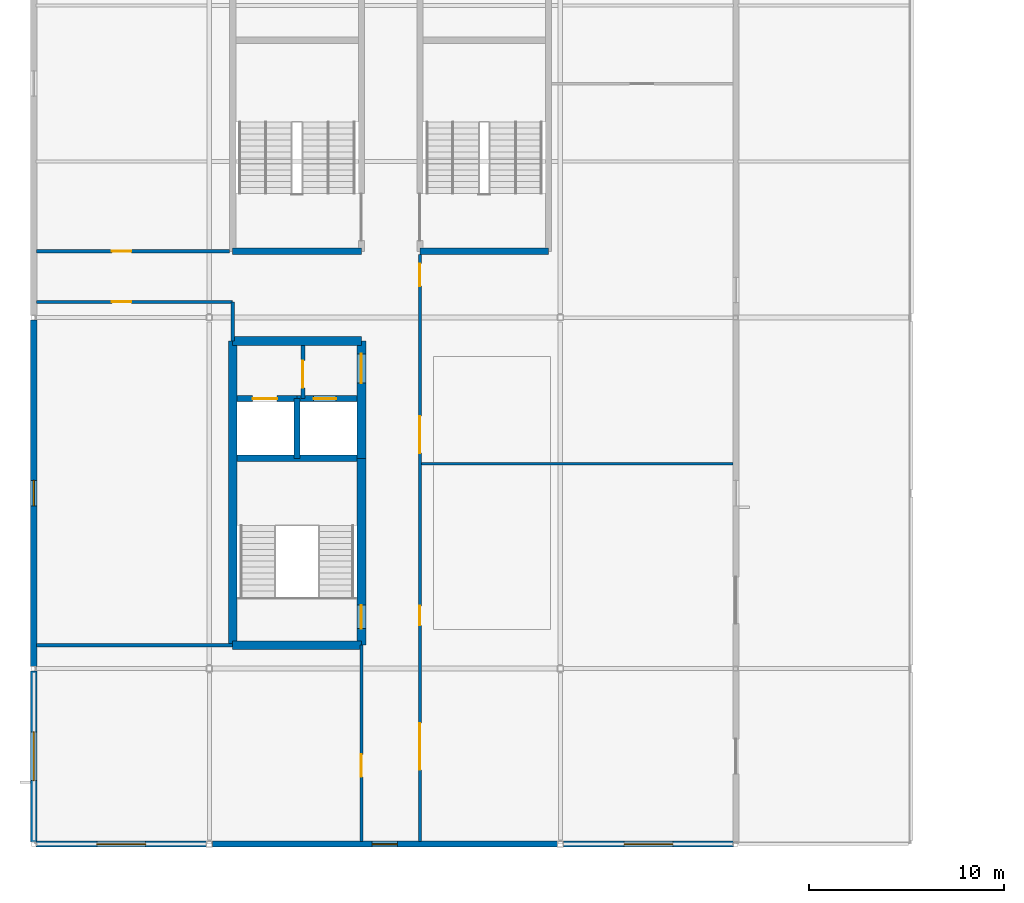
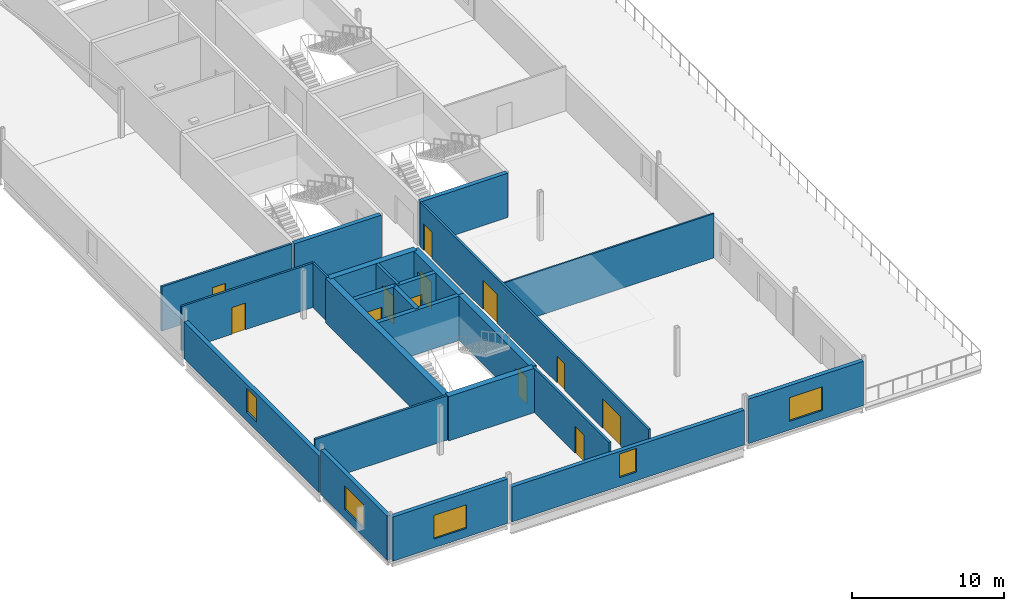
# One storey, part 27 of 55: 24 walls, 12 doors, 5 windows, 17 openings.
"""IFC4 building model written with IfcOpenShell, lengths in metres."""

import ifcopenshell
import ifcopenshell.guid

model = None  # the IFC model being written
_history = None  # IfcOwnerHistory: only IFC2X3 demands one
_inside = {}  # id of a spatial element -> (the spatial element, [elements in it])
_under = {}  # id of a project, library or spatial element -> (it, [spatial elements below it])
_declared = {}  # id of a project -> (the project, [libraries it declares])
_typed = {}  # id of a type object -> (the type object, [elements of that type])
_made_of = {}  # id of a material, layer set ... -> (it, [elements and type objects made of it])


def new_model(schema):
    """Start an empty IFC model of exactly this schema.

    Asked for "IFC4X3", IfcOpenShell would pick the latest addendum, in which some entities
    have other attributes; the version numbers below select the first issue.
    IFC2X3 requires an IfcOwnerHistory on every rooted entity: one is made here for all.
    """
    global model, _history
    if schema == "IFC4X3":
        model = ifcopenshell.file(schema_version=(4, 3, 0, 0))
    else:
        model = ifcopenshell.file(schema=schema)
    _inside.clear()
    _under.clear()
    _declared.clear()
    _typed.clear()
    _made_of.clear()
    _history = None
    if model.schema == "IFC2X3":
        org = make("IfcOrganization", Name="unknown")
        user = make(
            "IfcPersonAndOrganization",
            ThePerson=make("IfcPerson", FamilyName="unknown"),
            TheOrganization=org,
        )
        app = make(
            "IfcApplication",
            ApplicationDeveloper=org,
            Version="unknown",
            ApplicationFullName="unknown",
            ApplicationIdentifier="unknown",
        )
        _history = make(
            "IfcOwnerHistory",
            OwningUser=user,
            OwningApplication=app,
            ChangeAction="ADDED",
            CreationDate=0,
        )
    return model


def make(cls, **values):
    """One entity of the class cls with the attributes given. An attribute that is None is left unset."""
    return model.create_entity(
        cls, **{name: value for name, value in values.items() if value is not None}
    )


def rooted(cls, **values):
    """An entity with a GlobalId (a new one), such as an element, a storey or a relation."""
    return make(cls, GlobalId=ifcopenshell.guid.new(), OwnerHistory=_history, **values)


def si_unit(unit_type, name, prefix=None):
    """IfcSIUnit, for example si_unit("LENGTHUNIT", "METRE", prefix="MILLI")."""
    return make("IfcSIUnit", UnitType=unit_type, Prefix=prefix, Name=name)


def assignment(units):
    """IfcUnitAssignment: the units of a project."""
    return None if units is None else make("IfcUnitAssignment", Units=units)


def point(xyz):
    """IfcCartesianPoint."""
    return None if xyz is None else make("IfcCartesianPoint", Coordinates=xyz)


def direction(xyz):
    """IfcDirection."""
    return None if xyz is None else make("IfcDirection", DirectionRatios=xyz)


def frame(location, z_axis=None, x_axis=None):
    """IfcAxis2Placement3D, a coordinate frame: its origin and axes. An axis left out is left unset."""
    return make(
        "IfcAxis2Placement3D",
        Location=point(location),
        Axis=direction(z_axis),
        RefDirection=direction(x_axis),
    )


def frame_2d(location, x_axis=None):
    """IfcAxis2Placement2D, a coordinate frame in the plane: its origin and x axis."""
    return make(
        "IfcAxis2Placement2D", Location=point(location), RefDirection=direction(x_axis)
    )


def origin():
    """The frame at (0, 0, 0) with its axes left unset."""
    return frame((0.0, 0.0, 0.0))


def place(relative_to, where):
    """IfcLocalPlacement: puts the frame where relative to a parent placement (None: the world)."""
    return make(
        "IfcLocalPlacement", PlacementRelTo=relative_to, RelativePlacement=where
    )


def context(
    kind, dimensions, precision=None, world=None, true_north=None, identifier=None
):
    """IfcGeometricRepresentationContext, for example the 3D "Model" context."""
    return make(
        "IfcGeometricRepresentationContext",
        ContextIdentifier=identifier,
        ContextType=kind,
        CoordinateSpaceDimension=dimensions,
        Precision=precision,
        WorldCoordinateSystem=world,
        TrueNorth=true_north,
    )


def subcontext(parent, identifier, kind, view, scale=None):
    """IfcGeometricRepresentationSubContext, for example "Body" below "Model"."""
    return make(
        "IfcGeometricRepresentationSubContext",
        ContextIdentifier=identifier,
        ContextType=kind,
        ParentContext=parent,
        TargetScale=scale,
        TargetView=view,
    )


def project(units=None, contexts=None):
    """IfcProject with its units and contexts."""
    return rooted(
        "IfcProject",
        Name="project",
        RepresentationContexts=contexts,
        UnitsInContext=assignment(units),
    )


def spatial(cls, under=None, at=None, **own):
    """A site, building, storey or space (cls), placed at a placement, below another one or the project."""
    s = rooted(cls, ObjectPlacement=at, **own)
    if under is not None:
        _under.setdefault(under.id(), (under, []))[1].append(s)
    return s


def profile(cls, at=None, kind="AREA", **sizes):
    """A parametric profile (cls). Its sizes go by their IFC names, for example OverallWidth=200.0."""
    return make(cls, ProfileType=kind, Position=at, **sizes)


def rectangle(**sizes):
    """IfcRectangleProfileDef."""
    return profile("IfcRectangleProfileDef", **sizes)


def extrude(swept, where, along, depth):
    """IfcExtrudedAreaSolid: the profile swept, set in the frame where, extruded along a direction by depth."""
    return make(
        "IfcExtrudedAreaSolid",
        SweptArea=swept,
        Position=where,
        ExtrudedDirection=direction(along),
        Depth=depth,
    )


def shape(context_of_items, identifier, shape_type, items):
    """IfcShapeRepresentation: the items that make up one representation, for example the "Body"."""
    return make(
        "IfcShapeRepresentation",
        ContextOfItems=context_of_items,
        RepresentationIdentifier=identifier,
        RepresentationType=shape_type,
        Items=items,
    )


def material(Name=None, Category=None):
    """IfcMaterial."""
    return make("IfcMaterial", Name=Name, Category=Category)


def layer(
    of_material, thickness, ventilated=None, Name=None, Category=None, Priority=None
):
    """IfcMaterialLayer: one layer of a wall or slab, of a material (None: an air gap)."""
    return make(
        "IfcMaterialLayer",
        Material=of_material,
        LayerThickness=thickness,
        IsVentilated=ventilated,
        Name=Name,
        Category=Category,
        Priority=Priority,
    )


def layer_set(layers, Name=None):
    """IfcMaterialLayerSet."""
    return make("IfcMaterialLayerSet", MaterialLayers=layers, LayerSetName=Name)


def made_of(thing, what):
    """Note that an element or type object is made of a material, layer set ...; save() writes the relation."""
    if what is not None:
        _made_of.setdefault(what.id(), (what, []))[1].append(thing)
    return thing


def type_object(cls, material=None, **own):
    """A type object (cls), such as IfcWallType, which elements share."""
    return made_of(rooted(cls, **own), material)


def element(
    cls,
    number,
    at=None,
    inside=None,
    cuts=None,
    type_object=None,
    material=None,
    context=None,
    identifier="Body",
    shape_type=None,
    held_by="IfcProductDefinitionShape",
    body=None,
    shapes=None,
    **own,
):
    """One element of the class cls, such as IfcWall. Its Tag is "e" and its number.

    at: its placement. inside: the storey or other place that contains it. cuts: it is an
    opening in that element (IfcRelVoidsElement). A single representation is given by context,
    identifier, shape_type and body (its items); several are given by shapes. held_by: the class
    of the entity that holds the representations. save() writes the other relations.
    """
    e = rooted(cls, Tag="e%d" % number, ObjectPlacement=at, **own)
    if body is not None:
        shapes = [shape(context, identifier, shape_type, body)]
    if shapes is not None:
        e.Representation = make(held_by, Representations=shapes)
    if inside is not None:
        _inside.setdefault(inside.id(), (inside, []))[1].append(e)
    if cuts is not None:
        rooted(
            "IfcRelVoidsElement", RelatingBuildingElement=cuts, RelatedOpeningElement=e
        )
    if type_object is not None:
        _typed.setdefault(type_object.id(), (type_object, []))[1].append(e)
    return made_of(e, material)


def fill(opening, filler):
    """IfcRelFillsElement: the door or window that sits in an opening."""
    return rooted(
        "IfcRelFillsElement",
        RelatingOpeningElement=opening,
        RelatedBuildingElement=filler,
    )


def aggregate(whole, parts):
    """IfcRelAggregates: a whole, such as a stair, and the parts it consists of."""
    return rooted("IfcRelAggregates", RelatingObject=whole, RelatedObjects=parts)


def save(model, path):
    """Write the relations noted so far, then the file.

    IfcRelAggregates (storeys below a building ...), IfcRelContainedInSpatialStructure (elements
    in a storey), IfcRelDefinesByType, IfcRelAssociatesMaterial and IfcRelDeclares: one each for
    every whole, place, type object, material and project.
    """
    for whole, parts in _under.values():
        aggregate(whole, parts)
    for where, things in _inside.values():
        rooted(
            "IfcRelContainedInSpatialStructure",
            RelatedElements=things,
            RelatingStructure=where,
        )
    for kind, things in _typed.values():
        rooted("IfcRelDefinesByType", RelatedObjects=things, RelatingType=kind)
    for what, things in _made_of.values():
        rooted("IfcRelAssociatesMaterial", RelatedObjects=things, RelatingMaterial=what)
    for by, libraries in _declared.values():
        rooted("IfcRelDeclares", RelatingContext=by, RelatedDefinitions=libraries)
    model.write(path)


model = new_model("IFC4")

# Units and contexts
model_context = context("Model", 3, precision=1e-05, world=origin(), true_north=direction((0.0, 1.0)))
body_context = subcontext(model_context, "Body", "Model", "MODEL_VIEW")
ifc_project = project(units=[si_unit("LENGTHUNIT", "METRE"), si_unit("AREAUNIT", "SQUARE_METRE"), si_unit("VOLUMEUNIT", "CUBIC_METRE"), si_unit("PLANEANGLEUNIT", "RADIAN"), si_unit("MASSUNIT", "GRAM", prefix="KILO")], contexts=[model_context])

# Site, building, storey
site_placement = place(None, origin())
site = spatial("IfcSite", under=ifc_project, at=site_placement, CompositionType="ELEMENT")
building_placement = place(site_placement, origin())
building = spatial("IfcBuilding", under=site, at=building_placement, Name="Kisiwana Market Hall", CompositionType="ELEMENT")
storey_placement = place(building_placement, frame((0.0, 0.0, 37.800048828125)))
storey = spatial("IfcBuildingStorey", under=building, at=storey_placement, Name="L08", CompositionType="ELEMENT", Elevation=37.800048828125)

# Wall, opening, door
ifc_material_1 = material(Name="Masonry blockwork", Category="masonry")
ifc_layer_1 = layer(ifc_material_1, 0.199951171875, Name="Plastered fire compartment block wall")
ifc_layer_set_1 = layer_set([ifc_layer_1], Name="WL-COMP-200")
wall_type_1 = type_object("IfcWallType", Name="WL-COMP-200", PredefinedType="PARTITIONING", material=ifc_layer_set_1)
wall_1_placement = place(storey_placement, frame((13.800048828125, 31.844970703125, 0.0), z_axis=(0.0, 0.0, 1.0), x_axis=(0.0, 1.0, 0.0)))
wall_1 = element("IfcWall", 1, at=wall_1_placement, inside=storey, type_object=wall_type_1, Name="Core W2 firefighting lobby wall W-2379", PredefinedType="PARTITIONING", context=body_context, shape_type="SweptSolid", body=[
    extrude(rectangle(XDim=2.72998046875, YDim=0.199951171875, at=frame_2d((1.364990234375, 0.0))), origin(), (0.0, 0.0, 1.0), 3.56494140625),
])
opening_1_placement = place(wall_1_placement, frame((0.550048828125, 0.0, 0.0)))
opening_1 = element("IfcOpeningElement", 2, at=opening_1_placement, cuts=wall_1, Name="Opening DR-L08-003", PredefinedType="OPENING", context=body_context, shape_type="SweptSolid", body=[
    extrude(rectangle(XDim=1.39990234375, YDim=2.25, at=frame_2d((0.699951171875, 1.125))), frame((0.0, 0.11181640625, 0.0), z_axis=(0.0, -1.0, 0.0), x_axis=(1.0, 0.0, 0.0)), (0.0, 0.0, 1.0), 0.223876953125),
])
ifc_material_2 = material(Name="Steel S275", Category="steel")
door_type_1 = type_object("IfcDoorType", Name="DR-FFLOB-FD120-1400", OperationType="DOUBLE_DOOR_SINGLE_SWING", PredefinedType="DOOR", material=ifc_material_2)
door_1_placement = place(opening_1_placement, frame((1.39990234375, 0.0, 0.0), z_axis=(0.0, 0.0, 1.0), x_axis=(-1.0, 0.0, 0.0)))
door_1 = element("IfcDoor", 3, at=door_1_placement, inside=storey, type_object=door_type_1, Name="Firefighting Lift Lobby W2 Door (L08)", OperationType="DOUBLE_DOOR_SINGLE_SWING", OverallHeight=2.25, OverallWidth=1.39990234375, PredefinedType="DOOR", context=body_context, shape_type="SweptSolid", body=[
    extrude(rectangle(XDim=1.39990234375, YDim=2.25, at=frame_2d((0.699951171875, 1.125))), frame((0.0, 0.02490234375, 0.0), z_axis=(0.0, -1.0, 0.0), x_axis=(1.0, 0.0, 0.0)), (0.0, 0.0, 1.0), 0.050048828125),
])
fill(opening_1, door_1)

# Walls
ifc_material_3 = material(Name="Concrete C40/50", Category="concrete")
ifc_layer_2 = layer(ifc_material_3, 0.320068359375, Name="Reinforced concrete shaft wall")
ifc_layer_set_2 = layer_set([ifc_layer_2], Name="WL-CORE-320")
wall_type_2 = type_object("IfcWallType", Name="WL-CORE-320", PredefinedType="SHEAR", material=ifc_layer_set_2)
wall_2_placement = place(storey_placement, frame((10.425048828125, 28.784912109375, 0.0), z_axis=(0.0, 0.0, 1.0), x_axis=(1.0, 0.0, 0.0)))
element("IfcWall", 4, at=wall_2_placement, inside=storey, type_object=wall_type_2, Name="Core W2 shaft back shear wall W-2267", PredefinedType="SHEAR", context=body_context, shape_type="SweptSolid", body=[
    extrude(rectangle(XDim=6.14990234375, YDim=0.320068359375, at=frame_2d((3.074951171875, 0.0))), origin(), (0.0, 0.0, 1.0), 3.56494140625),
])
wall_3_placement = place(storey_placement, frame((13.5, 28.784912109375, 0.0), z_axis=(0.0, 0.0, 1.0), x_axis=(0.0, 1.0, 0.0)))
element("IfcWall", 5, at=wall_3_placement, inside=storey, type_object=wall_type_2, Name="Core W2 inter-shaft shear wall W-2268", PredefinedType="SHEAR", context=body_context, shape_type="SweptSolid", body=[
    extrude(rectangle(XDim=3.06005859375, YDim=0.320068359375, at=frame_2d((1.530029296875, 0.0))), origin(), (0.0, 0.0, 1.0), 3.56494140625),
])

# Wall, opening, door
wall_4_placement = place(storey_placement, frame((10.425048828125, 31.844970703125, 0.0), z_axis=(0.0, 0.0, 1.0), x_axis=(1.0, 0.0, 0.0)))
wall_4 = element("IfcWall", 6, at=wall_4_placement, inside=storey, type_object=wall_type_2, Name="Core W2 west lift front wall W-2269", PredefinedType="SHEAR", context=body_context, shape_type="SweptSolid", body=[
    extrude(rectangle(XDim=3.074951171875, YDim=0.320068359375, at=frame_2d((1.53759765625, 0.0))), origin(), (0.0, 0.0, 1.0), 3.56494140625),
])
opening_2_placement = place(wall_4_placement, frame((0.800048828125, 0.0, 0.0)))
opening_2 = element("IfcOpeningElement", 7, at=opening_2_placement, cuts=wall_4, Name="Opening LD-L08-001", PredefinedType="OPENING", context=body_context, shape_type="SweptSolid", body=[
    extrude(rectangle(XDim=1.25, YDim=2.25, at=frame_2d((0.625, 1.125))), frame((0.0, 0.171875, 0.0), z_axis=(0.0, -1.0, 0.0), x_axis=(1.0, 0.0, 0.0)), (0.0, 0.0, 1.0), 0.343994140625),
])
ifc_material_4 = material(Name="Steel S275", Category="steel")
door_type_2 = type_object("IfcDoorType", Name="DR-LIFT-FFL-1250", OperationType="DOUBLE_DOOR_SLIDING", PredefinedType="DOOR", material=ifc_material_4)
door_2_placement = place(opening_2_placement, origin())
door_2 = element("IfcDoor", 8, at=door_2_placement, inside=storey, type_object=door_type_2, Name="Lift Landing Door FFL-01 (L08)", OperationType="DOUBLE_DOOR_SLIDING", OverallHeight=2.25, OverallWidth=1.25, PredefinedType="DOOR", context=body_context, shape_type="SweptSolid", body=[
    extrude(rectangle(XDim=1.25, YDim=2.25, at=frame_2d((0.625, 1.125))), frame((0.0, 0.02490234375, 0.0), z_axis=(0.0, -1.0, 0.0), x_axis=(1.0, 0.0, 0.0)), (0.0, 0.0, 1.0), 0.050048828125),
])
fill(opening_2, door_2)

wall_5_placement = place(storey_placement, frame((13.5, 31.844970703125, 0.0), z_axis=(0.0, 0.0, 1.0), x_axis=(1.0, 0.0, 0.0)))
wall_5 = element("IfcWall", 9, at=wall_5_placement, inside=storey, type_object=wall_type_2, Name="Core W2 east lift front wall W-2270", PredefinedType="SHEAR", context=body_context, shape_type="SweptSolid", body=[
    extrude(rectangle(XDim=3.074951171875, YDim=0.320068359375, at=frame_2d((1.53759765625, 0.0))), origin(), (0.0, 0.0, 1.0), 3.56494140625),
])
opening_3_placement = place(wall_5_placement, frame((0.85009765625, 0.0, 0.0)))
opening_3 = element("IfcOpeningElement", 10, at=opening_3_placement, cuts=wall_5, Name="Opening LD-L08-002", PredefinedType="OPENING", context=body_context, shape_type="SweptSolid", body=[
    extrude(rectangle(XDim=1.14990234375, YDim=2.199951171875, at=frame_2d((0.574951171875, 1.10009765625))), frame((0.0, 0.171875, 0.0), z_axis=(0.0, -1.0, 0.0), x_axis=(1.0, 0.0, 0.0)), (0.0, 0.0, 1.0), 0.343994140625),
])
ifc_material_5 = material(Name="Steel S275", Category="steel")
door_type_3 = type_object("IfcDoorType", Name="DR-LIFT-PAX-1150", OperationType="DOUBLE_DOOR_SLIDING", PredefinedType="DOOR", material=ifc_material_5)
door_3_placement = place(opening_3_placement, origin())
door_3 = element("IfcDoor", 11, at=door_3_placement, inside=storey, type_object=door_type_3, Name="Lift Landing Door LP-01 (L08)", OperationType="DOUBLE_DOOR_SLIDING", OverallHeight=2.199951171875, OverallWidth=1.14990234375, PredefinedType="DOOR", context=body_context, shape_type="SweptSolid", body=[
    extrude(rectangle(XDim=1.14990234375, YDim=2.199951171875, at=frame_2d((0.574951171875, 1.10009765625))), frame((0.0, 0.02490234375, 0.0), z_axis=(0.0, -1.0, 0.0), x_axis=(1.0, 0.0, 0.0)), (0.0, 0.0, 1.0), 0.050048828125),
])
fill(opening_3, door_3)

# Walls
wall_6_placement = place(storey_placement, frame((10.199951171875, 39.39990234375, 0.0), z_axis=(0.0, 0.0, 1.0), x_axis=(1.0, 0.0, 0.0)))
element("IfcWall", 12, at=wall_6_placement, inside=storey, type_object=wall_type_2, Name="Core W3 south shear wall W-2298", PredefinedType="SHEAR", context=body_context, shape_type="SweptSolid", body=[
    extrude(rectangle(XDim=6.60009765625, YDim=0.320068359375, at=frame_2d((3.300048828125, 0.0))), origin(), (0.0, 0.0, 1.0), 3.56494140625),
])
wall_7_placement = place(storey_placement, frame((19.800048828125, 39.39990234375, 0.0), z_axis=(0.0, 0.0, 1.0), x_axis=(1.0, 0.0, 0.0)))
element("IfcWall", 13, at=wall_7_placement, inside=storey, type_object=wall_type_2, Name="Core W7 south shear wall W-2318", PredefinedType="SHEAR", context=body_context, shape_type="SweptSolid", body=[
    extrude(rectangle(XDim=6.599853515625, YDim=0.320068359375, at=frame_2d((3.2998046875, 0.0))), origin(), (0.0, 0.0, 1.0), 3.56494140625),
])
ifc_material_6 = material(Name="Concrete C40/50", Category="concrete")
ifc_layer_3 = layer(ifc_material_6, 0.449951171875, Name="Reinforced concrete core wall")
ifc_layer_set_3 = layer_set([ifc_layer_3], Name="WL-CORE-450")
wall_type_3 = type_object("IfcWallType", Name="WL-CORE-450", PredefinedType="SHEAR", material=ifc_layer_set_3)
for number, where, z_axis, x_axis, name in (
    (14, (10.199951171875, 19.199951171875, 0.0), (0.0, 0.0, 1.0), (1.0, 0.0, 0.0), "Core W2 south shear wall W-2262"),
    (15, (10.199951171875, 34.800048828125, 0.0), (0.0, 0.0, 1.0), (1.0, 0.0, 0.0), "Core W2 north shear wall W-2263"),
):
    element("IfcWall", number, at=place(storey_placement, frame(where, z_axis=z_axis, x_axis=x_axis)), inside=storey, type_object=wall_type_3, Name=name, PredefinedType="SHEAR", context=body_context, shape_type="SweptSolid", body=[
        extrude(rectangle(XDim=6.60009765625, YDim=0.449951171875, at=frame_2d((3.300048828125, 0.0))), origin(), (0.0, 0.0, 1.0), 3.56494140625),
    ])
wall_8_placement = place(storey_placement, frame((10.199951171875, 19.199951171875, 0.0), z_axis=(0.0, 0.0, 1.0), x_axis=(0.0, 1.0, 0.0)))
element("IfcWall", 16, at=wall_8_placement, inside=storey, type_object=wall_type_3, Name="Core W2 outer shear wall W-2264", PredefinedType="SHEAR", context=body_context, shape_type="SweptSolid", body=[
    extrude(rectangle(XDim=15.60009765625, YDim=0.449951171875, at=frame_2d((7.800048828125, 0.0))), origin(), (0.0, 0.0, 1.0), 3.56494140625),
])

# Wall, opening, door
wall_9_placement = place(storey_placement, frame((16.800048828125, 19.199951171875, 0.0), z_axis=(0.0, 0.0, 1.0), x_axis=(0.0, 1.0, 0.0)))
wall_9 = element("IfcWall", 17, at=wall_9_placement, inside=storey, type_object=wall_type_3, Name="Core W2 stair corridor shear wall W-2265", PredefinedType="SHEAR", context=body_context, shape_type="SweptSolid", body=[
    extrude(rectangle(XDim=9.5849609375, YDim=0.449951171875, at=frame_2d((4.79248046875, 0.0))), origin(), (0.0, 0.0, 1.0), 3.56494140625),
])
opening_4_placement = place(wall_9_placement, frame((0.85009765625, 0.0, 0.0)))
opening_4 = element("IfcOpeningElement", 18, at=opening_4_placement, cuts=wall_9, Name="Opening DR-L08-001", PredefinedType="OPENING", context=body_context, shape_type="SweptSolid", body=[
    extrude(rectangle(XDim=1.199951171875, YDim=2.199951171875, at=frame_2d((0.60009765625, 1.10009765625))), frame((0.0, 0.23681640625, 0.0), z_axis=(0.0, -1.0, 0.0), x_axis=(1.0, 0.0, 0.0)), (0.0, 0.0, 1.0), 0.473876953125),
])
ifc_material_7 = material(Name="Steel S275", Category="steel")
door_type_4 = type_object("IfcDoorType", Name="DR-STAIR-FD120-1200", OperationType="NOTDEFINED", PredefinedType="DOOR", material=ifc_material_7)
door_4_placement = place(opening_4_placement, origin())
door_4 = element("IfcDoor", 19, at=door_4_placement, inside=storey, type_object=door_type_4, Name="Escape Stair W2 Fire Door (L08)", OperationType="SINGLE_SWING_LEFT", OverallHeight=2.199951171875, OverallWidth=1.199951171875, PredefinedType="DOOR", context=body_context, shape_type="SweptSolid", body=[
    extrude(rectangle(XDim=1.199951171875, YDim=2.199951171875, at=frame_2d((0.60009765625, 1.10009765625))), frame((0.0, 0.02490234375, 0.0), z_axis=(0.0, -1.0, 0.0), x_axis=(1.0, 0.0, 0.0)), (0.0, 0.0, 1.0), 0.050048828125),
])
fill(opening_4, door_4)

wall_10_placement = place(storey_placement, frame((16.800048828125, 28.784912109375, 0.0), z_axis=(0.0, 0.0, 1.0), x_axis=(0.0, 1.0, 0.0)))
wall_10 = element("IfcWall", 20, at=wall_10_placement, inside=storey, type_object=wall_type_3, Name="Core W2 lobby corridor shear wall W-2266", PredefinedType="SHEAR", context=body_context, shape_type="SweptSolid", body=[
    extrude(rectangle(XDim=6.01513671875, YDim=0.449951171875, at=frame_2d((3.007568359375, 0.0))), origin(), (0.0, 0.0, 1.0), 3.56494140625),
])
opening_5_placement = place(wall_10_placement, frame((3.85009765625, 0.0, 0.0)))
opening_5 = element("IfcOpeningElement", 21, at=opening_5_placement, cuts=wall_10, Name="Opening DR-L08-002", PredefinedType="OPENING", context=body_context, shape_type="SweptSolid", body=[
    extrude(rectangle(XDim=1.5, YDim=2.199951171875, at=frame_2d((0.75, 1.10009765625))), frame((0.0, 0.23681640625, 0.0), z_axis=(0.0, -1.0, 0.0), x_axis=(1.0, 0.0, 0.0)), (0.0, 0.0, 1.0), 0.473876953125),
])
ifc_material_8 = material(Name="Steel S275", Category="steel")
door_type_5 = type_object("IfcDoorType", Name="DR-CORR-FD60-1500", OperationType="DOUBLE_DOOR_SINGLE_SWING", PredefinedType="DOOR", material=ifc_material_8)
door_5_placement = place(opening_5_placement, frame((1.5, 0.0, 0.0), z_axis=(0.0, 0.0, 1.0), x_axis=(-1.0, 0.0, 0.0)))
door_5 = element("IfcDoor", 22, at=door_5_placement, inside=storey, type_object=door_type_5, Name="Passenger Lift Lobby W2 Smoke Door (L08)", OperationType="DOUBLE_DOOR_SINGLE_SWING", OverallHeight=2.199951171875, OverallWidth=1.5, PredefinedType="DOOR", context=body_context, shape_type="SweptSolid", body=[
    extrude(rectangle(XDim=1.5, YDim=2.199951171875, at=frame_2d((0.75, 1.10009765625))), frame((0.0, 0.02490234375, 0.0), z_axis=(0.0, -1.0, 0.0), x_axis=(1.0, 0.0, 0.0)), (0.0, 0.0, 1.0), 0.050048828125),
])
fill(opening_5, door_5)

# Wall
ifc_material_9 = material(Name="Masonry blockwork", Category="masonry")
ifc_layer_4 = layer(ifc_material_9, 0.169921875, Name="Protected corridor partition")
ifc_layer_set_4 = layer_set([ifc_layer_4], Name="WL-CORR-170")
wall_type_4 = type_object("IfcWallType", Name="WL-CORR-170", PredefinedType="PARTITIONING", material=ifc_layer_set_4)
wall_11_placement = place(storey_placement, frame((0.14501953125, 19.199951171875, 0.0), z_axis=(0.0, 0.0, 1.0), x_axis=(1.0, 0.0, 0.0)))
element("IfcWall", 23, at=wall_11_placement, inside=storey, type_object=wall_type_4, Name="Interior partition W-2389", PredefinedType="PARTITIONING", context=body_context, shape_type="SweptSolid", body=[
    extrude(rectangle(XDim=10.054931640625, YDim=0.169921875, at=frame_2d((5.02734375, 0.0))), origin(), (0.0, 0.0, 1.0), 3.56494140625),
])

# Wall, opening, door
wall_12_placement = place(storey_placement, frame((16.800048828125, 9.14501953125, 0.0), z_axis=(0.0, 0.0, 1.0), x_axis=(0.0, 1.0, 0.0)))
wall_12 = element("IfcWall", 24, at=wall_12_placement, inside=storey, type_object=wall_type_4, Name="Interior partition W-2395", PredefinedType="PARTITIONING", context=body_context, shape_type="SweptSolid", body=[
    extrude(rectangle(XDim=10.054931640625, YDim=0.169921875, at=frame_2d((5.02734375, 0.0))), origin(), (0.0, 0.0, 1.0), 3.56494140625),
])
opening_6_placement = place(wall_12_placement, frame((3.300048828125, 0.0, 0.0)))
opening_6 = element("IfcOpeningElement", 25, at=opening_6_placement, cuts=wall_12, Name="Opening DR-L08-029", PredefinedType="OPENING", context=body_context, shape_type="SweptSolid", body=[
    extrude(rectangle(XDim=1.14990234375, YDim=2.14990234375, at=frame_2d((0.574951171875, 1.074951171875))), frame((0.0, 0.096923828125, 0.0), z_axis=(0.0, -1.0, 0.0), x_axis=(1.0, 0.0, 0.0)), (0.0, 0.0, 1.0), 0.19384765625),
])
ifc_material_10 = material(Name="Aluminium alloy 6063-T6", Category="aluminium")
door_type_6 = type_object("IfcDoorType", Name="DR-MEET-1150", OperationType="NOTDEFINED", PredefinedType="DOOR", material=ifc_material_10)
door_6_placement = place(opening_6_placement, origin())
door_6 = element("IfcDoor", 26, at=door_6_placement, inside=storey, type_object=door_type_6, Name="L08 W Corner Office Suite South Door", OperationType="SINGLE_SWING_LEFT", OverallHeight=2.14990234375, OverallWidth=1.14990234375, PredefinedType="DOOR", context=body_context, shape_type="SweptSolid", body=[
    extrude(rectangle(XDim=1.14990234375, YDim=2.14990234375, at=frame_2d((0.574951171875, 1.074951171875))), frame((0.0, 0.02490234375, 0.0), z_axis=(0.0, -1.0, 0.0), x_axis=(1.0, 0.0, 0.0)), (0.0, 0.0, 1.0), 0.050048828125),
])
fill(opening_6, door_6)

# Wall, openings, doors
wall_13_placement = place(storey_placement, frame((19.800048828125, 9.14501953125, 0.0), z_axis=(0.0, 0.0, 1.0), x_axis=(0.0, 1.0, 0.0)))
wall_13 = element("IfcWall", 27, at=wall_13_placement, inside=storey, type_object=wall_type_4, Name="Interior partition W-2401", PredefinedType="PARTITIONING", context=body_context, shape_type="SweptSolid", body=[
    extrude(rectangle(XDim=30.094970703125, YDim=0.169921875, at=frame_2d((15.04736328125, 0.0))), origin(), (0.0, 0.0, 1.0), 3.56494140625),
])
opening_7_placement = place(wall_13_placement, frame((11.06494140625, 0.0, 0.0)))
opening_7 = element("IfcOpeningElement", 28, at=opening_7_placement, cuts=wall_13, Name="Opening DR-L08-032", PredefinedType="OPENING", context=body_context, shape_type="SweptSolid", body=[
    extrude(rectangle(XDim=1.0, YDim=2.14990234375, at=frame_2d((0.5, 1.074951171875))), frame((0.0, 0.096923828125, 0.0), z_axis=(0.0, -1.0, 0.0), x_axis=(1.0, 0.0, 0.0)), (0.0, 0.0, 1.0), 0.19384765625),
])
opening_8_placement = place(wall_13_placement, frame((3.655029296875, 0.0, 0.0)))
opening_8 = element("IfcOpeningElement", 29, at=opening_8_placement, cuts=wall_13, Name="Opening DR-L08-033", PredefinedType="OPENING", context=body_context, shape_type="SweptSolid", body=[
    extrude(rectangle(XDim=2.39990234375, YDim=2.35009765625, at=frame_2d((1.199951171875, 1.175048828125))), frame((0.0, 0.096923828125, 0.0), z_axis=(0.0, -1.0, 0.0), x_axis=(1.0, 0.0, 0.0)), (0.0, 0.0, 1.0), 0.19384765625),
])
opening_9_placement = place(wall_13_placement, frame((28.465087890625, 0.0, 0.0)))
opening_9 = element("IfcOpeningElement", 30, at=opening_9_placement, cuts=wall_13, Name="Opening DR-L08-034", PredefinedType="OPENING", context=body_context, shape_type="SweptSolid", body=[
    extrude(rectangle(XDim=1.14990234375, YDim=2.14990234375, at=frame_2d((0.574951171875, 1.074951171875))), frame((0.0, 0.096923828125, 0.0), z_axis=(0.0, -1.0, 0.0), x_axis=(1.0, 0.0, 0.0)), (0.0, 0.0, 1.0), 0.19384765625),
])
opening_10_placement = place(wall_13_placement, frame((19.905029296875, 0.0, 0.0)))
opening_10 = element("IfcOpeningElement", 31, at=opening_10_placement, cuts=wall_13, Name="Opening DR-L08-035", PredefinedType="OPENING", context=body_context, shape_type="SweptSolid", body=[
    extrude(rectangle(XDim=1.89990234375, YDim=2.35009765625, at=frame_2d((0.949951171875, 1.175048828125))), frame((0.0, 0.096923828125, 0.0), z_axis=(0.0, -1.0, 0.0), x_axis=(1.0, 0.0, 0.0)), (0.0, 0.0, 1.0), 0.19384765625),
])
ifc_material_11 = material(Name="Steel S275", Category="steel")
door_type_7 = type_object("IfcDoorType", Name="DR-HALL-1900", OperationType="DOUBLE_DOOR_SINGLE_SWING", PredefinedType="DOOR", material=ifc_material_11)
door_7_placement = place(opening_10_placement, frame((1.89990234375, 0.0, 0.0), z_axis=(0.0, 0.0, 1.0), x_axis=(-1.0, 0.0, 0.0)))
door_7 = element("IfcDoor", 32, at=door_7_placement, inside=storey, type_object=door_type_7, Name="L08 W Boardroom Suite M2 Exit Door", OperationType="DOUBLE_DOOR_SINGLE_SWING", OverallHeight=2.35009765625, OverallWidth=1.89990234375, PredefinedType="DOOR", context=body_context, shape_type="SweptSolid", body=[
    extrude(rectangle(XDim=1.89990234375, YDim=2.35009765625, at=frame_2d((0.949951171875, 1.175048828125))), frame((0.0, 0.02490234375, 0.0), z_axis=(0.0, -1.0, 0.0), x_axis=(1.0, 0.0, 0.0)), (0.0, 0.0, 1.0), 0.050048828125),
])
fill(opening_10, door_7)
ifc_material_12 = material(Name="Steel S275", Category="steel")
door_type_8 = type_object("IfcDoorType", Name="DR-HALL-2400", OperationType="DOUBLE_DOOR_SINGLE_SWING", PredefinedType="DOOR", material=ifc_material_12)
door_8_placement = place(opening_8_placement, frame((2.39990234375, 0.0, 0.0), z_axis=(0.0, 0.0, 1.0), x_axis=(-1.0, 0.0, 0.0)))
door_8 = element("IfcDoor", 33, at=door_8_placement, inside=storey, type_object=door_type_8, Name="L08 W Mid-Rise Office Suite M1 Second Door", OperationType="DOUBLE_DOOR_SINGLE_SWING", OverallHeight=2.35009765625, OverallWidth=2.39990234375, PredefinedType="DOOR", context=body_context, shape_type="SweptSolid", body=[
    extrude(rectangle(XDim=2.39990234375, YDim=2.35009765625, at=frame_2d((1.199951171875, 1.175048828125))), frame((0.0, 0.02490234375, 0.0), z_axis=(0.0, -1.0, 0.0), x_axis=(1.0, 0.0, 0.0)), (0.0, 0.0, 1.0), 0.050048828125),
])
fill(opening_8, door_8)
door_9_placement = place(opening_9_placement, frame((1.14990234375, 0.0, 0.0), z_axis=(0.0, 0.0, 1.0), x_axis=(-1.0, 0.0, 0.0)))
door_9 = element("IfcDoor", 34, at=door_9_placement, inside=storey, type_object=door_type_6, Name="L08 W Boardroom Suite M2 Door", OperationType="SINGLE_SWING_LEFT", OverallHeight=2.14990234375, OverallWidth=1.14990234375, PredefinedType="DOOR", context=body_context, shape_type="SweptSolid", body=[
    extrude(rectangle(XDim=1.14990234375, YDim=2.14990234375, at=frame_2d((0.574951171875, 1.074951171875))), frame((0.0, 0.02490234375, 0.0), z_axis=(0.0, -1.0, 0.0), x_axis=(1.0, 0.0, 0.0)), (0.0, 0.0, 1.0), 0.050048828125),
])
fill(opening_9, door_9)
ifc_material_13 = material(Name="Aluminium alloy 6063-T6", Category="aluminium")
door_type_9 = type_object("IfcDoorType", Name="DR-OFF-1000", OperationType="NOTDEFINED", PredefinedType="DOOR", material=ifc_material_13)
door_10_placement = place(opening_7_placement, frame((1.0, 0.0, 0.0), z_axis=(0.0, 0.0, 1.0), x_axis=(-1.0, 0.0, 0.0)))
door_10 = element("IfcDoor", 35, at=door_10_placement, inside=storey, type_object=door_type_9, Name="L08 W Mid-Rise Office Suite M1 Door", OperationType="SINGLE_SWING_RIGHT", OverallHeight=2.14990234375, OverallWidth=1.0, PredefinedType="DOOR", context=body_context, shape_type="SweptSolid", body=[
    extrude(rectangle(XDim=1.0, YDim=2.14990234375, at=frame_2d((0.5, 1.074951171875))), frame((0.0, 0.02490234375, 0.0), z_axis=(0.0, -1.0, 0.0), x_axis=(1.0, 0.0, 0.0)), (0.0, 0.0, 1.0), 0.050048828125),
])
fill(opening_7, door_10)

# Wall, opening, window
ifc_material_14 = material(Name="Concrete C40/50 precast", Category="concrete")
ifc_layer_5 = layer(ifc_material_14, 0.31494140625)
ifc_layer_set_5 = layer_set([ifc_layer_5], Name="WL-EXT-315")
wall_type_5 = type_object("IfcWallType", Name="WL-EXT-315", PredefinedType="STANDARD", material=ifc_layer_set_5)
wall_14_placement = place(storey_placement, frame((0.114990234375, 9.0, 0.0), z_axis=(0.0, 0.0, 1.0), x_axis=(1.0, 0.0, 0.0)))
wall_14 = element("IfcWall", 36, at=wall_14_placement, inside=storey, type_object=wall_type_5, Name="Exterior wall W-2346", PredefinedType="STANDARD", context=body_context, shape_type="SweptSolid", body=[
    extrude(rectangle(XDim=8.731201171875, YDim=0.31494140625, at=frame_2d((4.36572265625, 0.0))), origin(), (0.0, 0.0, 1.0), 3.56494140625),
])
opening_11_placement = place(wall_14_placement, frame((3.115478515625, 0.0, 0.699951171875)))
opening_11 = element("IfcOpeningElement", 37, at=opening_11_placement, cuts=wall_14, Name="Opening WN-17", PredefinedType="OPENING", context=body_context, shape_type="SweptSolid", body=[
    extrude(rectangle(XDim=2.5, YDim=1.89990234375, at=frame_2d((1.25, 0.949951171875))), frame((0.0, 0.16943359375, 0.0), z_axis=(0.0, -1.0, 0.0), x_axis=(1.0, 0.0, 0.0)), (0.0, 0.0, 1.0), 0.3388671875),
])
ifc_material_15 = material(Name="Double-glazed solar-control low-E IGU", Category="glass")
window_type_1 = type_object("IfcWindowType", Name="WN-OFFB-2500x1900", PartitioningType="SINGLE_PANEL", PredefinedType="WINDOW", material=ifc_material_15)
window_1_placement = place(opening_11_placement, origin())
window_1 = element("IfcWindow", 38, at=window_1_placement, inside=storey, type_object=window_type_1, Name="Exterior window WN-247", OverallHeight=1.89990234375, OverallWidth=2.5, PartitioningType="SINGLE_PANEL", PredefinedType="WINDOW", context=body_context, shape_type="SweptSolid", body=[
    extrude(rectangle(XDim=2.5, YDim=1.89990234375, at=frame_2d((1.25, 0.949951171875))), frame((0.0, 0.030029296875, 0.0), z_axis=(0.0, -1.0, 0.0), x_axis=(1.0, 0.0, 0.0)), (0.0, 0.0, 1.0), 0.06005859375),
])
fill(opening_11, window_1)

wall_15_placement = place(storey_placement, frame((9.15380859375, 9.0, 0.0), z_axis=(0.0, 0.0, 1.0), x_axis=(1.0, 0.0, 0.0)))
wall_15 = element("IfcWall", 39, at=wall_15_placement, inside=storey, type_object=wall_type_5, Name="Exterior wall W-2347", PredefinedType="STANDARD", context=body_context, shape_type="SweptSolid", body=[
    extrude(rectangle(XDim=17.6923828125, YDim=0.31494140625, at=frame_2d((8.84619140625, 0.0))), origin(), (0.0, 0.0, 1.0), 2.802734375),
])
opening_12_placement = place(wall_15_placement, frame((8.1962890625, 0.0, 0.699951171875)))
opening_12 = element("IfcOpeningElement", 40, at=opening_12_placement, cuts=wall_15, Name="Opening WN-08", PredefinedType="OPENING", context=body_context, shape_type="SweptSolid", body=[
    extrude(rectangle(XDim=1.300048828125, YDim=1.89990234375, at=frame_2d((0.64990234375, 0.949951171875))), frame((0.0, 0.16943359375, 0.0), z_axis=(0.0, -1.0, 0.0), x_axis=(1.0, 0.0, 0.0)), (0.0, 0.0, 1.0), 0.3388671875),
])
ifc_material_16 = material(Name="Double-glazed solar-control low-E IGU", Category="glass")
window_type_2 = type_object("IfcWindowType", Name="WN-OFFB-1300x1900", PartitioningType="SINGLE_PANEL", PredefinedType="WINDOW", material=ifc_material_16)
window_2_placement = place(opening_12_placement, origin())
window_2 = element("IfcWindow", 41, at=window_2_placement, inside=storey, type_object=window_type_2, Name="Exterior window WN-227", OverallHeight=1.89990234375, OverallWidth=1.300048828125, PartitioningType="SINGLE_PANEL", PredefinedType="WINDOW", context=body_context, shape_type="SweptSolid", body=[
    extrude(rectangle(XDim=1.300048828125, YDim=1.89990234375, at=frame_2d((0.64990234375, 0.949951171875))), frame((0.0, 0.030029296875, 0.0), z_axis=(0.0, -1.0, 0.0), x_axis=(1.0, 0.0, 0.0)), (0.0, 0.0, 1.0), 0.06005859375),
])
fill(opening_12, window_2)

wall_16_placement = place(storey_placement, frame((27.15380859375, 9.0, 0.0), z_axis=(0.0, 0.0, 1.0), x_axis=(1.0, 0.0, 0.0)))
wall_16 = element("IfcWall", 42, at=wall_16_placement, inside=storey, type_object=wall_type_5, Name="Exterior wall W-2348", PredefinedType="STANDARD", context=body_context, shape_type="SweptSolid", body=[
    extrude(rectangle(XDim=8.731201171875, YDim=0.31494140625, at=frame_2d((4.36572265625, 0.0))), origin(), (0.0, 0.0, 1.0), 3.56494140625),
])
opening_13_placement = place(wall_16_placement, frame((3.115478515625, 0.0, 0.699951171875)))
opening_13 = element("IfcOpeningElement", 43, at=opening_13_placement, cuts=wall_16, Name="Opening WN-17", PredefinedType="OPENING", context=body_context, shape_type="SweptSolid", body=[
    extrude(rectangle(XDim=2.5, YDim=1.89990234375, at=frame_2d((1.25, 0.949951171875))), frame((0.0, 0.16943359375, 0.0), z_axis=(0.0, -1.0, 0.0), x_axis=(1.0, 0.0, 0.0)), (0.0, 0.0, 1.0), 0.3388671875),
])
window_3_placement = place(opening_13_placement, origin())
window_3 = element("IfcWindow", 44, at=window_3_placement, inside=storey, type_object=window_type_1, Name="Exterior window WN-248", OverallHeight=1.89990234375, OverallWidth=2.5, PartitioningType="SINGLE_PANEL", PredefinedType="WINDOW", context=body_context, shape_type="SweptSolid", body=[
    extrude(rectangle(XDim=2.5, YDim=1.89990234375, at=frame_2d((1.25, 0.949951171875))), frame((0.0, 0.030029296875, 0.0), z_axis=(0.0, -1.0, 0.0), x_axis=(1.0, 0.0, 0.0)), (0.0, 0.0, 1.0), 0.06005859375),
])
fill(opening_13, window_3)

wall_17_placement = place(storey_placement, frame((0.0, 9.114990234375, 0.0), z_axis=(0.0, 0.0, 1.0), x_axis=(0.0, 1.0, 0.0)))
wall_17 = element("IfcWall", 45, at=wall_17_placement, inside=storey, type_object=wall_type_5, Name="Exterior wall W-2355", PredefinedType="STANDARD", context=body_context, shape_type="SweptSolid", body=[
    extrude(rectangle(XDim=8.77001953125, YDim=0.31494140625, at=frame_2d((4.385009765625, 0.0))), origin(), (0.0, 0.0, 1.0), 3.56494140625),
])
opening_14_placement = place(wall_17_placement, frame((3.135009765625, 0.0, 0.699951171875)))
opening_14 = element("IfcOpeningElement", 46, at=opening_14_placement, cuts=wall_17, Name="Opening WN-17", PredefinedType="OPENING", context=body_context, shape_type="SweptSolid", body=[
    extrude(rectangle(XDim=2.5, YDim=1.89990234375, at=frame_2d((1.25, 0.949951171875))), frame((0.0, 0.16943359375, 0.0), z_axis=(0.0, -1.0, 0.0), x_axis=(1.0, 0.0, 0.0)), (0.0, 0.0, 1.0), 0.3388671875),
])
window_4_placement = place(opening_14_placement, origin())
window_4 = element("IfcWindow", 47, at=window_4_placement, inside=storey, type_object=window_type_1, Name="Exterior window WN-252", OverallHeight=1.89990234375, OverallWidth=2.5, PartitioningType="SINGLE_PANEL", PredefinedType="WINDOW", context=body_context, shape_type="SweptSolid", body=[
    extrude(rectangle(XDim=2.5, YDim=1.89990234375, at=frame_2d((1.25, 0.949951171875))), frame((0.0, 0.030029296875, 0.0), z_axis=(0.0, -1.0, 0.0), x_axis=(1.0, 0.0, 0.0)), (0.0, 0.0, 1.0), 0.06005859375),
])
fill(opening_14, window_4)

wall_18_placement = place(storey_placement, frame((0.0, 18.114990234375, 0.0), z_axis=(0.0, 0.0, 1.0), x_axis=(0.0, 1.0, 0.0)))
wall_18 = element("IfcWall", 48, at=wall_18_placement, inside=storey, type_object=wall_type_5, Name="Exterior wall W-2356", PredefinedType="STANDARD", context=body_context, shape_type="SweptSolid", body=[
    extrude(rectangle(XDim=17.77001953125, YDim=0.31494140625, at=frame_2d((8.885009765625, 0.0))), origin(), (0.0, 0.0, 1.0), 2.95263671875),
])
opening_15_placement = place(wall_18_placement, frame((8.235107421875, 0.0, 0.699951171875)))
opening_15 = element("IfcOpeningElement", 49, at=opening_15_placement, cuts=wall_18, Name="Opening WN-08", PredefinedType="OPENING", context=body_context, shape_type="SweptSolid", body=[
    extrude(rectangle(XDim=1.300048828125, YDim=1.89990234375, at=frame_2d((0.64990234375, 0.949951171875))), frame((0.0, 0.16943359375, 0.0), z_axis=(0.0, -1.0, 0.0), x_axis=(1.0, 0.0, 0.0)), (0.0, 0.0, 1.0), 0.3388671875),
])
window_5_placement = place(opening_15_placement, origin())
window_5 = element("IfcWindow", 50, at=window_5_placement, inside=storey, type_object=window_type_2, Name="Exterior window WN-231", OverallHeight=1.89990234375, OverallWidth=1.300048828125, PartitioningType="SINGLE_PANEL", PredefinedType="WINDOW", context=body_context, shape_type="SweptSolid", body=[
    extrude(rectangle(XDim=1.300048828125, YDim=1.89990234375, at=frame_2d((0.64990234375, 0.949951171875))), frame((0.0, 0.030029296875, 0.0), z_axis=(0.0, -1.0, 0.0), x_axis=(1.0, 0.0, 0.0)), (0.0, 0.0, 1.0), 0.06005859375),
])
fill(opening_15, window_5)

# Walls
ifc_material_17 = material(Name="Gypsum plasterboard")
ifc_layer_6 = layer(ifc_material_17, 0.125, Name="Double gypsum board + acoustic stud")
ifc_layer_set_6 = layer_set([ifc_layer_6], Name="WL-OFF-125")
wall_type_6 = type_object("IfcWallType", Name="WL-OFF-125", PredefinedType="PARTITIONING", material=ifc_layer_set_6)
wall_19_placement = place(storey_placement, frame((19.885009765625, 28.5, 0.0), z_axis=(0.0, 0.0, 1.0), x_axis=(1.0, 0.0, 0.0)))
element("IfcWall", 51, at=wall_19_placement, inside=storey, type_object=wall_type_6, Name="Interior partition W-2397", PredefinedType="PARTITIONING", context=body_context, shape_type="SweptSolid", body=[
    extrude(rectangle(XDim=15.969970703125, YDim=0.125, at=frame_2d((7.98486328125, 0.0))), origin(), (0.0, 0.0, 1.0), 3.56494140625),
])
ifc_material_18 = material(Name="Masonry blockwork", Category="masonry")
ifc_layer_7 = layer(ifc_material_18, 0.159912109375)
ifc_layer_set_7 = layer_set([ifc_layer_7], Name="WL-PART-160")
wall_type_7 = type_object("IfcWallType", Name="WL-PART-160", PredefinedType="PARTITIONING", material=ifc_layer_set_7)
wall_20_placement = place(storey_placement, frame((10.199951171875, 34.800048828125, 0.0), z_axis=(0.0, 0.0, 1.0), x_axis=(0.0, 1.0, 0.0)))
element("IfcWall", 52, at=wall_20_placement, inside=storey, type_object=wall_type_7, Name="Interior partition W-2387", PredefinedType="PARTITIONING", context=body_context, shape_type="SweptSolid", body=[
    extrude(rectangle(XDim=2.0, YDim=0.159912109375, at=frame_2d((1.0, 0.0))), origin(), (0.0, 0.0, 1.0), 3.56494140625),
])

# Wall, opening, door
wall_21_placement = place(storey_placement, frame((0.14501953125, 36.800048828125, 0.0), z_axis=(0.0, 0.0, 1.0), x_axis=(1.0, 0.0, 0.0)))
wall_21 = element("IfcWall", 53, at=wall_21_placement, inside=storey, type_object=wall_type_7, Name="Interior partition W-2391", PredefinedType="PARTITIONING", context=body_context, shape_type="SweptSolid", body=[
    extrude(rectangle(XDim=10.054931640625, YDim=0.159912109375, at=frame_2d((5.02734375, 0.0))), origin(), (0.0, 0.0, 1.0), 3.56494140625),
])
opening_16_placement = place(wall_21_placement, frame((3.85498046875, 0.0, 0.0)))
opening_16 = element("IfcOpeningElement", 54, at=opening_16_placement, cuts=wall_21, Name="Opening DR-L08-026", PredefinedType="OPENING", context=body_context, shape_type="SweptSolid", body=[
    extrude(rectangle(XDim=1.0, YDim=2.14990234375, at=frame_2d((0.5, 1.074951171875))), frame((0.0, 0.091796875, 0.0), z_axis=(0.0, -1.0, 0.0), x_axis=(1.0, 0.0, 0.0)), (0.0, 0.0, 1.0), 0.183837890625),
])
door_11_placement = place(opening_16_placement, frame((1.0, 0.0, 0.0), z_axis=(0.0, 0.0, 1.0), x_axis=(-1.0, 0.0, 0.0)))
door_11 = element("IfcDoor", 55, at=door_11_placement, inside=storey, type_object=door_type_9, Name="L08 W Commercial Office South Door", OperationType="SINGLE_SWING_RIGHT", OverallHeight=2.14990234375, OverallWidth=1.0, PredefinedType="DOOR", context=body_context, shape_type="SweptSolid", body=[
    extrude(rectangle(XDim=1.0, YDim=2.14990234375, at=frame_2d((0.5, 1.074951171875))), frame((0.0, 0.02490234375, 0.0), z_axis=(0.0, -1.0, 0.0), x_axis=(1.0, 0.0, 0.0)), (0.0, 0.0, 1.0), 0.050048828125),
])
fill(opening_16, door_11)

wall_22_placement = place(storey_placement, frame((0.14501953125, 39.39990234375, 0.0), z_axis=(0.0, 0.0, 1.0), x_axis=(1.0, 0.0, 0.0)))
wall_22 = element("IfcWall", 56, at=wall_22_placement, inside=storey, type_object=wall_type_7, Name="Interior partition W-2392", PredefinedType="PARTITIONING", context=body_context, shape_type="SweptSolid", body=[
    extrude(rectangle(XDim=9.89501953125, YDim=0.159912109375, at=frame_2d((4.947509765625, 0.0))), origin(), (0.0, 0.0, 1.0), 3.56494140625),
])
opening_17_placement = place(wall_22_placement, frame((3.85498046875, 0.0, 0.0)))
opening_17 = element("IfcOpeningElement", 57, at=opening_17_placement, cuts=wall_22, Name="Opening DR-L08-027", PredefinedType="OPENING", context=body_context, shape_type="SweptSolid", body=[
    extrude(rectangle(XDim=1.0, YDim=2.14990234375, at=frame_2d((0.5, 1.074951171875))), frame((0.0, 0.091796875, 0.0), z_axis=(0.0, -1.0, 0.0), x_axis=(1.0, 0.0, 0.0)), (0.0, 0.0, 1.0), 0.183837890625),
])
door_12_placement = place(opening_17_placement, origin())
door_12 = element("IfcDoor", 58, at=door_12_placement, inside=storey, type_object=door_type_9, Name="L08 W Commercial Office Central Door", OperationType="SINGLE_SWING_LEFT", OverallHeight=2.14990234375, OverallWidth=1.0, PredefinedType="DOOR", context=body_context, shape_type="SweptSolid", body=[
    extrude(rectangle(XDim=1.0, YDim=2.14990234375, at=frame_2d((0.5, 1.074951171875))), frame((0.0, 0.02490234375, 0.0), z_axis=(0.0, -1.0, 0.0), x_axis=(1.0, 0.0, 0.0)), (0.0, 0.0, 1.0), 0.050048828125),
])
fill(opening_17, door_12)

save(model, "model.ifc")
